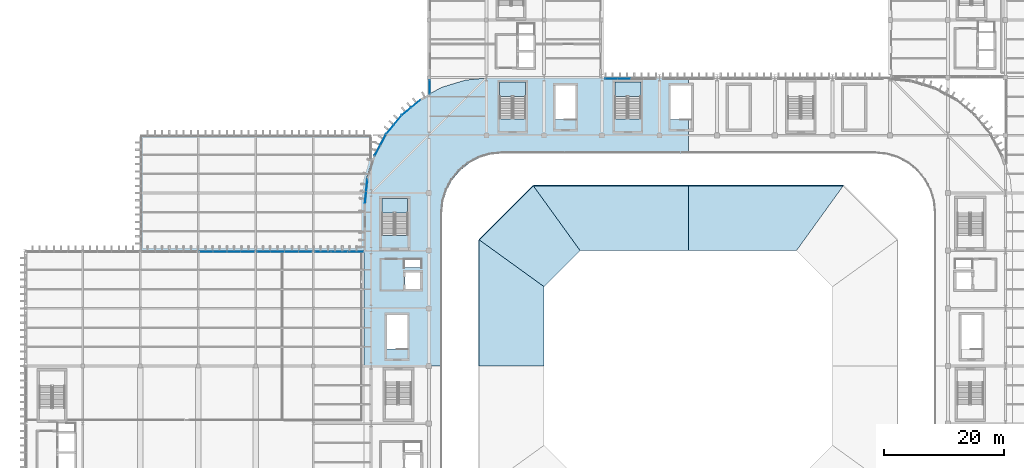
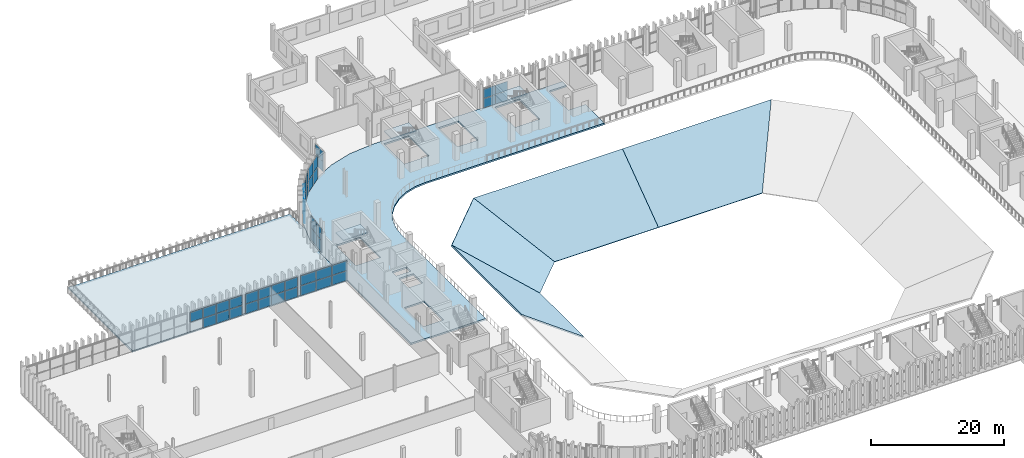
# One storey, part 52 of 99: 43 plates, 9 slabs, 12 elements without a shape of their own.
"""IFC4 building model written with IfcOpenShell, lengths in metres."""

import ifcopenshell
import ifcopenshell.guid

model = None  # the IFC model being written
_history = None  # IfcOwnerHistory: only IFC2X3 demands one
_inside = {}  # id of a spatial element -> (the spatial element, [elements in it])
_under = {}  # id of a project, library or spatial element -> (it, [spatial elements below it])
_declared = {}  # id of a project -> (the project, [libraries it declares])
_typed = {}  # id of a type object -> (the type object, [elements of that type])
_made_of = {}  # id of a material, layer set ... -> (it, [elements and type objects made of it])


def new_model(schema):
    """Start an empty IFC model of exactly this schema.

    Asked for "IFC4X3", IfcOpenShell would pick the latest addendum, in which some entities
    have other attributes; the version numbers below select the first issue.
    IFC2X3 requires an IfcOwnerHistory on every rooted entity: one is made here for all.
    """
    global model, _history
    if schema == "IFC4X3":
        model = ifcopenshell.file(schema_version=(4, 3, 0, 0))
    else:
        model = ifcopenshell.file(schema=schema)
    _inside.clear()
    _under.clear()
    _declared.clear()
    _typed.clear()
    _made_of.clear()
    _history = None
    if model.schema == "IFC2X3":
        org = make("IfcOrganization", Name="unknown")
        user = make(
            "IfcPersonAndOrganization",
            ThePerson=make("IfcPerson", FamilyName="unknown"),
            TheOrganization=org,
        )
        app = make(
            "IfcApplication",
            ApplicationDeveloper=org,
            Version="unknown",
            ApplicationFullName="unknown",
            ApplicationIdentifier="unknown",
        )
        _history = make(
            "IfcOwnerHistory",
            OwningUser=user,
            OwningApplication=app,
            ChangeAction="ADDED",
            CreationDate=0,
        )
    return model


def make(cls, **values):
    """One entity of the class cls with the attributes given. An attribute that is None is left unset."""
    return model.create_entity(
        cls, **{name: value for name, value in values.items() if value is not None}
    )


def rooted(cls, **values):
    """An entity with a GlobalId (a new one), such as an element, a storey or a relation."""
    return make(cls, GlobalId=ifcopenshell.guid.new(), OwnerHistory=_history, **values)


def si_unit(unit_type, name, prefix=None):
    """IfcSIUnit, for example si_unit("LENGTHUNIT", "METRE", prefix="MILLI")."""
    return make("IfcSIUnit", UnitType=unit_type, Prefix=prefix, Name=name)


def assignment(units):
    """IfcUnitAssignment: the units of a project."""
    return None if units is None else make("IfcUnitAssignment", Units=units)


def point(xyz):
    """IfcCartesianPoint."""
    return None if xyz is None else make("IfcCartesianPoint", Coordinates=xyz)


def direction(xyz):
    """IfcDirection."""
    return None if xyz is None else make("IfcDirection", DirectionRatios=xyz)


def frame(location, z_axis=None, x_axis=None):
    """IfcAxis2Placement3D, a coordinate frame: its origin and axes. An axis left out is left unset."""
    return make(
        "IfcAxis2Placement3D",
        Location=point(location),
        Axis=direction(z_axis),
        RefDirection=direction(x_axis),
    )


def frame_2d(location, x_axis=None):
    """IfcAxis2Placement2D, a coordinate frame in the plane: its origin and x axis."""
    return make(
        "IfcAxis2Placement2D", Location=point(location), RefDirection=direction(x_axis)
    )


def origin():
    """The frame at (0, 0, 0) with its axes left unset."""
    return frame((0.0, 0.0, 0.0))


def origin_2d():
    """The frame at (0, 0) in the plane with its x axis left unset."""
    return frame_2d((0.0, 0.0))


def place(relative_to, where):
    """IfcLocalPlacement: puts the frame where relative to a parent placement (None: the world)."""
    return make(
        "IfcLocalPlacement", PlacementRelTo=relative_to, RelativePlacement=where
    )


def context(
    kind, dimensions, precision=None, world=None, true_north=None, identifier=None
):
    """IfcGeometricRepresentationContext, for example the 3D "Model" context."""
    return make(
        "IfcGeometricRepresentationContext",
        ContextIdentifier=identifier,
        ContextType=kind,
        CoordinateSpaceDimension=dimensions,
        Precision=precision,
        WorldCoordinateSystem=world,
        TrueNorth=true_north,
    )


def subcontext(parent, identifier, kind, view, scale=None):
    """IfcGeometricRepresentationSubContext, for example "Body" below "Model"."""
    return make(
        "IfcGeometricRepresentationSubContext",
        ContextIdentifier=identifier,
        ContextType=kind,
        ParentContext=parent,
        TargetScale=scale,
        TargetView=view,
    )


def project(units=None, contexts=None):
    """IfcProject with its units and contexts."""
    return rooted(
        "IfcProject",
        Name="project",
        RepresentationContexts=contexts,
        UnitsInContext=assignment(units),
    )


def spatial(cls, under=None, at=None, **own):
    """A site, building, storey or space (cls), placed at a placement, below another one or the project."""
    s = rooted(cls, ObjectPlacement=at, **own)
    if under is not None:
        _under.setdefault(under.id(), (under, []))[1].append(s)
    return s


def polyline(points):
    """IfcPolyline through the points."""
    return make("IfcPolyline", Points=[point(p) for p in points])


def profile(cls, at=None, kind="AREA", **sizes):
    """A parametric profile (cls). Its sizes go by their IFC names, for example OverallWidth=200.0."""
    return make(cls, ProfileType=kind, Position=at, **sizes)


def rectangle(**sizes):
    """IfcRectangleProfileDef."""
    return profile("IfcRectangleProfileDef", **sizes)


def outline(outer, holes=None, kind="AREA"):
    """IfcArbitraryClosedProfileDef: a profile drawn as a closed curve; with holes, ...WithVoids."""
    if holes is None:
        return make("IfcArbitraryClosedProfileDef", ProfileType=kind, OuterCurve=outer)
    return make(
        "IfcArbitraryProfileDefWithVoids",
        ProfileType=kind,
        OuterCurve=outer,
        InnerCurves=holes,
    )


def extrude(swept, where, along, depth):
    """IfcExtrudedAreaSolid: the profile swept, set in the frame where, extruded along a direction by depth."""
    return make(
        "IfcExtrudedAreaSolid",
        SweptArea=swept,
        Position=where,
        ExtrudedDirection=direction(along),
        Depth=depth,
    )


def shape(context_of_items, identifier, shape_type, items):
    """IfcShapeRepresentation: the items that make up one representation, for example the "Body"."""
    return make(
        "IfcShapeRepresentation",
        ContextOfItems=context_of_items,
        RepresentationIdentifier=identifier,
        RepresentationType=shape_type,
        Items=items,
    )


def material(Name=None, Category=None):
    """IfcMaterial."""
    return make("IfcMaterial", Name=Name, Category=Category)


def layer(
    of_material, thickness, ventilated=None, Name=None, Category=None, Priority=None
):
    """IfcMaterialLayer: one layer of a wall or slab, of a material (None: an air gap)."""
    return make(
        "IfcMaterialLayer",
        Material=of_material,
        LayerThickness=thickness,
        IsVentilated=ventilated,
        Name=Name,
        Category=Category,
        Priority=Priority,
    )


def layer_set(layers, Name=None):
    """IfcMaterialLayerSet."""
    return make("IfcMaterialLayerSet", MaterialLayers=layers, LayerSetName=Name)


def made_of(thing, what):
    """Note that an element or type object is made of a material, layer set ...; save() writes the relation."""
    if what is not None:
        _made_of.setdefault(what.id(), (what, []))[1].append(thing)
    return thing


def type_object(cls, material=None, **own):
    """A type object (cls), such as IfcWallType, which elements share."""
    return made_of(rooted(cls, **own), material)


def element(
    cls,
    number,
    at=None,
    inside=None,
    cuts=None,
    type_object=None,
    material=None,
    context=None,
    identifier="Body",
    shape_type=None,
    held_by="IfcProductDefinitionShape",
    body=None,
    shapes=None,
    **own,
):
    """One element of the class cls, such as IfcWall. Its Tag is "e" and its number.

    at: its placement. inside: the storey or other place that contains it. cuts: it is an
    opening in that element (IfcRelVoidsElement). A single representation is given by context,
    identifier, shape_type and body (its items); several are given by shapes. held_by: the class
    of the entity that holds the representations. save() writes the other relations.
    """
    e = rooted(cls, Tag="e%d" % number, ObjectPlacement=at, **own)
    if body is not None:
        shapes = [shape(context, identifier, shape_type, body)]
    if shapes is not None:
        e.Representation = make(held_by, Representations=shapes)
    if inside is not None:
        _inside.setdefault(inside.id(), (inside, []))[1].append(e)
    if cuts is not None:
        rooted(
            "IfcRelVoidsElement", RelatingBuildingElement=cuts, RelatedOpeningElement=e
        )
    if type_object is not None:
        _typed.setdefault(type_object.id(), (type_object, []))[1].append(e)
    return made_of(e, material)


def aggregate(whole, parts):
    """IfcRelAggregates: a whole, such as a stair, and the parts it consists of."""
    return rooted("IfcRelAggregates", RelatingObject=whole, RelatedObjects=parts)


def save(model, path):
    """Write the relations noted so far, then the file.

    IfcRelAggregates (storeys below a building ...), IfcRelContainedInSpatialStructure (elements
    in a storey), IfcRelDefinesByType, IfcRelAssociatesMaterial and IfcRelDeclares: one each for
    every whole, place, type object, material and project.
    """
    for whole, parts in _under.values():
        aggregate(whole, parts)
    for where, things in _inside.values():
        rooted(
            "IfcRelContainedInSpatialStructure",
            RelatedElements=things,
            RelatingStructure=where,
        )
    for kind, things in _typed.values():
        rooted("IfcRelDefinesByType", RelatedObjects=things, RelatingType=kind)
    for what, things in _made_of.values():
        rooted("IfcRelAssociatesMaterial", RelatedObjects=things, RelatingMaterial=what)
    for by, libraries in _declared.values():
        rooted("IfcRelDeclares", RelatingContext=by, RelatedDefinitions=libraries)
    model.write(path)


model = new_model("IFC4")

# Units and contexts
model_context = context("Model", 3, precision=1e-05, world=origin(), true_north=direction((0.0, 1.0)))
body_context = subcontext(model_context, "Body", "Model", "MODEL_VIEW")
ifc_project = project(units=[si_unit("LENGTHUNIT", "METRE"), si_unit("AREAUNIT", "SQUARE_METRE"), si_unit("VOLUMEUNIT", "CUBIC_METRE"), si_unit("PLANEANGLEUNIT", "RADIAN"), si_unit("MASSUNIT", "GRAM", prefix="KILO")], contexts=[model_context])

# Site, building, storey
site_placement = place(None, origin())
site = spatial("IfcSite", under=ifc_project, at=site_placement, CompositionType="ELEMENT")
building_placement = place(site_placement, origin())
building = spatial("IfcBuilding", under=site, at=building_placement, Name="Caelomonte Colonnade Arena", CompositionType="ELEMENT")
storey_placement = place(building_placement, frame((0.0, 0.0, 4.800048828125)))
storey = spatial("IfcBuildingStorey", under=building, at=storey_placement, Name="L01", CompositionType="ELEMENT", Elevation=4.800048828125)

# Curtain wall, plates
ifc_material_1 = material(Name="Bronze anodised aluminium and low-E glazing", Category="aluminium")
ifc_layer_1 = layer(ifc_material_1, 0.179931640625)
ifc_layer_set_1 = layer_set([ifc_layer_1], Name="Bronze anodised aluminium and low-E glazing")
curtain_wall_type_1 = type_object("IfcCurtainWallType", Name="ENV-CW-CW-L01-29-39", PredefinedType="USERDEFINED", material=ifc_layer_set_1)
curtain_wall_1_placement = place(storey_placement, origin())
curtain_wall_1 = element("IfcCurtainWall", 1, at=curtain_wall_1_placement, inside=storey, type_object=curtain_wall_type_1, Name="L01 unitized curtain wall CW-L01-0674-1138", ObjectType="UNITIZED CURTAIN WALL", PredefinedType="USERDEFINED")
ifc_material_2 = material(Name="Solar-control bronze low-E double glazing", Category="glass")
ifc_layer_2 = layer(ifc_material_2, 0.028076171875)
ifc_layer_set_2 = layer_set([ifc_layer_2], Name="Solar-control bronze low-E double glazing")
plate_type = type_object("IfcPlateType", Name="ENV-CW-PAN28", PredefinedType="CURTAIN_PANEL", material=ifc_layer_set_2)
plate_1_placement = place(storey_placement, frame((67.3798828125, 113.6826171875, 0.06982421875), z_axis=(0.0, 0.0, 1.0), x_axis=(0.0, -1.0, 0.0)))
plate_1 = element("IfcPlate", 2, at=plate_1_placement, type_object=plate_type, Name="CW-L01-29-39 panel 1.1", PredefinedType="CURTAIN_PANEL", context=body_context, shape_type="SweptSolid", body=[
    extrude(rectangle(XDim=2.2548828125, YDim=0.028076171875, at=origin_2d()), origin(), (0.0, 0.0, 1.0), 1.8515625),
])
plate_2_placement = place(storey_placement, frame((67.3798828125, 113.6826171875, 1.991455078125), z_axis=(0.0, 0.0, 1.0), x_axis=(0.0, -1.0, 0.0)))
plate_2 = element("IfcPlate", 3, at=plate_2_placement, type_object=plate_type, Name="CW-L01-29-39 panel 1.2", PredefinedType="CURTAIN_PANEL", context=body_context, shape_type="SweptSolid", body=[
    extrude(rectangle(XDim=2.2548828125, YDim=0.028076171875, at=origin_2d()), origin(), (0.0, 0.0, 1.0), 1.8515625),
])
aggregate(curtain_wall_1, [plate_1, plate_2])

ifc_layer_3 = layer(ifc_material_1, 0.179931640625)
ifc_layer_set_3 = layer_set([ifc_layer_3], Name="Bronze anodised aluminium and low-E glazing")
curtain_wall_type_2 = type_object("IfcCurtainWallType", Name="ENV-CW-CW-L01-44-45", PredefinedType="USERDEFINED", material=ifc_layer_set_3)
curtain_wall_2_placement = place(storey_placement, origin())
curtain_wall_2 = element("IfcCurtainWall", 4, at=curtain_wall_2_placement, inside=storey, type_object=curtain_wall_type_2, Name="L01 unitized curtain wall CW-L01-0643-1102", ObjectType="UNITIZED CURTAIN WALL", PredefinedType="USERDEFINED")
plate_3_placement = place(storey_placement, frame((65.022705078125, 110.844970703125, 0.06982421875), z_axis=(0.0, 0.0, 1.0), x_axis=(-0.772991751994, -0.634416071163, 0.0)))
plate_3 = element("IfcPlate", 5, at=plate_3_placement, type_object=plate_type, Name="CW-L01-44-45 panel 1.1", PredefinedType="CURTAIN_PANEL", context=body_context, shape_type="SweptSolid", body=[
    extrude(rectangle(XDim=1.913330078125, YDim=0.028076171875, at=origin_2d()), origin(), (0.0, 0.0, 1.0), 2.155029296875),
])
plate_4_placement = place(storey_placement, frame((65.022705078125, 110.844970703125, 2.294921875), z_axis=(0.0, 0.0, 1.0), x_axis=(-0.772991751994, -0.634416071163, 0.0)))
plate_4 = element("IfcPlate", 6, at=plate_4_placement, type_object=plate_type, Name="CW-L01-44-45 panel 1.2", PredefinedType="CURTAIN_PANEL", context=body_context, shape_type="SweptSolid", body=[
    extrude(rectangle(XDim=1.913330078125, YDim=0.028076171875, at=origin_2d()), origin(), (0.0, 0.0, 1.0), 2.155029296875),
])
plate_5_placement = place(storey_placement, frame((63.489501953125, 109.586669921875, 0.06982421875), z_axis=(0.0, 0.0, 1.0), x_axis=(-0.772991751994, -0.634416071163, 0.0)))
plate_5 = element("IfcPlate", 7, at=plate_5_placement, type_object=plate_type, Name="CW-L01-44-45 panel 2.1", PredefinedType="CURTAIN_PANEL", context=body_context, shape_type="SweptSolid", body=[
    extrude(rectangle(XDim=1.913330078125, YDim=0.028076171875, at=origin_2d()), origin(), (0.0, 0.0, 1.0), 2.155029296875),
])
plate_6_placement = place(storey_placement, frame((63.489501953125, 109.586669921875, 2.294921875), z_axis=(0.0, 0.0, 1.0), x_axis=(-0.772991751994, -0.634416071163, 0.0)))
plate_6 = element("IfcPlate", 8, at=plate_6_placement, type_object=plate_type, Name="CW-L01-44-45 panel 2.2", PredefinedType="CURTAIN_PANEL", context=body_context, shape_type="SweptSolid", body=[
    extrude(rectangle(XDim=1.913330078125, YDim=0.028076171875, at=origin_2d()), origin(), (0.0, 0.0, 1.0), 2.155029296875),
])
aggregate(curtain_wall_2, [plate_3, plate_4, plate_5, plate_6])

curtain_wall_3_placement = place(storey_placement, origin())
curtain_wall_3 = element("IfcCurtainWall", 9, at=curtain_wall_3_placement, inside=storey, type_object=curtain_wall_type_2, Name="L01 unitized curtain wall CW-L01-0614-1073", ObjectType="UNITIZED CURTAIN WALL", PredefinedType="USERDEFINED")
plate_7_placement = place(storey_placement, frame((62.01318359375, 108.1103515625, 0.06982421875), z_axis=(0.0, 0.0, 1.0), x_axis=(-0.634416071163, -0.772991751994, 0.0)))
plate_7 = element("IfcPlate", 10, at=plate_7_placement, type_object=plate_type, Name="CW-L01-44-45 panel 1.1", PredefinedType="CURTAIN_PANEL", context=body_context, shape_type="SweptSolid", body=[
    extrude(rectangle(XDim=1.913330078125, YDim=0.028076171875, at=origin_2d()), origin(), (0.0, 0.0, 1.0), 2.155029296875),
])
plate_8_placement = place(storey_placement, frame((62.01318359375, 108.1103515625, 2.294921875), z_axis=(0.0, 0.0, 1.0), x_axis=(-0.634416071163, -0.772991751994, 0.0)))
plate_8 = element("IfcPlate", 11, at=plate_8_placement, type_object=plate_type, Name="CW-L01-44-45 panel 1.2", PredefinedType="CURTAIN_PANEL", context=body_context, shape_type="SweptSolid", body=[
    extrude(rectangle(XDim=1.913330078125, YDim=0.028076171875, at=origin_2d()), origin(), (0.0, 0.0, 1.0), 2.155029296875),
])
plate_9_placement = place(storey_placement, frame((60.7548828125, 106.577392578125, 0.06982421875), z_axis=(0.0, 0.0, 1.0), x_axis=(-0.634416071163, -0.772991751994, 0.0)))
plate_9 = element("IfcPlate", 12, at=plate_9_placement, type_object=plate_type, Name="CW-L01-44-45 panel 2.1", PredefinedType="CURTAIN_PANEL", context=body_context, shape_type="SweptSolid", body=[
    extrude(rectangle(XDim=1.913330078125, YDim=0.028076171875, at=origin_2d()), origin(), (0.0, 0.0, 1.0), 2.155029296875),
])
plate_10_placement = place(storey_placement, frame((60.7548828125, 106.577392578125, 2.294921875), z_axis=(0.0, 0.0, 1.0), x_axis=(-0.634416071163, -0.772991751994, 0.0)))
plate_10 = element("IfcPlate", 13, at=plate_10_placement, type_object=plate_type, Name="CW-L01-44-45 panel 2.2", PredefinedType="CURTAIN_PANEL", context=body_context, shape_type="SweptSolid", body=[
    extrude(rectangle(XDim=1.913330078125, YDim=0.028076171875, at=origin_2d()), origin(), (0.0, 0.0, 1.0), 2.155029296875),
])
aggregate(curtain_wall_3, [plate_7, plate_8, plate_9, plate_10])

curtain_wall_4_placement = place(storey_placement, origin())
curtain_wall_4 = element("IfcCurtainWall", 14, at=curtain_wall_4_placement, inside=storey, type_object=curtain_wall_type_2, Name="L01 unitized curtain wall CW-L01-0591-1040", ObjectType="UNITIZED CURTAIN WALL", PredefinedType="USERDEFINED")
plate_11_placement = place(storey_placement, frame((59.594970703125, 104.841552734375, 0.06982421875), z_axis=(0.0, 0.0, 1.0), x_axis=(-0.471394212466, -0.881922613642, 0.0)))
plate_11 = element("IfcPlate", 15, at=plate_11_placement, type_object=plate_type, Name="CW-L01-44-45 panel 1.1", PredefinedType="CURTAIN_PANEL", context=body_context, shape_type="SweptSolid", body=[
    extrude(rectangle(XDim=1.913330078125, YDim=0.028076171875, at=origin_2d()), origin(), (0.0, 0.0, 1.0), 2.155029296875),
])
plate_12_placement = place(storey_placement, frame((59.594970703125, 104.841552734375, 2.294921875), z_axis=(0.0, 0.0, 1.0), x_axis=(-0.471394212466, -0.881922613642, 0.0)))
plate_12 = element("IfcPlate", 16, at=plate_12_placement, type_object=plate_type, Name="CW-L01-44-45 panel 1.2", PredefinedType="CURTAIN_PANEL", context=body_context, shape_type="SweptSolid", body=[
    extrude(rectangle(XDim=1.913330078125, YDim=0.028076171875, at=origin_2d()), origin(), (0.0, 0.0, 1.0), 2.155029296875),
])
plate_13_placement = place(storey_placement, frame((58.66015625, 103.09228515625, 0.06982421875), z_axis=(0.0, 0.0, 1.0), x_axis=(-0.471394212466, -0.881922613642, 0.0)))
plate_13 = element("IfcPlate", 17, at=plate_13_placement, type_object=plate_type, Name="CW-L01-44-45 panel 2.1", PredefinedType="CURTAIN_PANEL", context=body_context, shape_type="SweptSolid", body=[
    extrude(rectangle(XDim=1.913330078125, YDim=0.028076171875, at=origin_2d()), origin(), (0.0, 0.0, 1.0), 2.155029296875),
])
plate_14_placement = place(storey_placement, frame((58.66015625, 103.09228515625, 2.294921875), z_axis=(0.0, 0.0, 1.0), x_axis=(-0.471394212466, -0.881922613642, 0.0)))
plate_14 = element("IfcPlate", 18, at=plate_14_placement, type_object=plate_type, Name="CW-L01-44-45 panel 2.2", PredefinedType="CURTAIN_PANEL", context=body_context, shape_type="SweptSolid", body=[
    extrude(rectangle(XDim=1.913330078125, YDim=0.028076171875, at=origin_2d()), origin(), (0.0, 0.0, 1.0), 2.155029296875),
])
aggregate(curtain_wall_4, [plate_11, plate_12, plate_13, plate_14])

curtain_wall_5_placement = place(storey_placement, origin())
curtain_wall_5 = element("IfcCurtainWall", 19, at=curtain_wall_5_placement, inside=storey, type_object=curtain_wall_type_2, Name="L01 unitized curtain wall CW-L01-0568-0962", ObjectType="UNITIZED CURTAIN WALL", PredefinedType="USERDEFINED")
plate_15_placement = place(storey_placement, frame((56.878173828125, 97.2177734375, 0.06982421875), z_axis=(0.0, 0.0, 1.0), x_axis=(-0.098002498041, -0.995186168703, 0.0)))
plate_15 = element("IfcPlate", 20, at=plate_15_placement, type_object=plate_type, Name="CW-L01-44-45 panel 1.1", PredefinedType="CURTAIN_PANEL", context=body_context, shape_type="SweptSolid", body=[
    extrude(rectangle(XDim=1.913330078125, YDim=0.028076171875, at=origin_2d()), origin(), (0.0, 0.0, 1.0), 2.155029296875),
])
plate_16_placement = place(storey_placement, frame((56.878173828125, 97.2177734375, 2.294921875), z_axis=(0.0, 0.0, 1.0), x_axis=(-0.098002498041, -0.995186168703, 0.0)))
plate_16 = element("IfcPlate", 21, at=plate_16_placement, type_object=plate_type, Name="CW-L01-44-45 panel 1.2", PredefinedType="CURTAIN_PANEL", context=body_context, shape_type="SweptSolid", body=[
    extrude(rectangle(XDim=1.913330078125, YDim=0.028076171875, at=origin_2d()), origin(), (0.0, 0.0, 1.0), 2.155029296875),
])
plate_17_placement = place(storey_placement, frame((56.68359375, 95.243896484375, 0.06982421875), z_axis=(0.0, 0.0, 1.0), x_axis=(-0.098002498041, -0.995186168703, 0.0)))
plate_17 = element("IfcPlate", 22, at=plate_17_placement, type_object=plate_type, Name="CW-L01-44-45 panel 2.1", PredefinedType="CURTAIN_PANEL", context=body_context, shape_type="SweptSolid", body=[
    extrude(rectangle(XDim=1.913330078125, YDim=0.028076171875, at=origin_2d()), origin(), (0.0, 0.0, 1.0), 2.155029296875),
])
plate_18_placement = place(storey_placement, frame((56.68359375, 95.243896484375, 2.294921875), z_axis=(0.0, 0.0, 1.0), x_axis=(-0.098002498041, -0.995186168703, 0.0)))
plate_18 = element("IfcPlate", 23, at=plate_18_placement, type_object=plate_type, Name="CW-L01-44-45 panel 2.2", PredefinedType="CURTAIN_PANEL", context=body_context, shape_type="SweptSolid", body=[
    extrude(rectangle(XDim=1.913330078125, YDim=0.028076171875, at=origin_2d()), origin(), (0.0, 0.0, 1.0), 2.155029296875),
])
aggregate(curtain_wall_5, [plate_15, plate_16, plate_17, plate_18])

ifc_layer_4 = layer(ifc_material_1, 0.179931640625)
ifc_layer_set_4 = layer_set([ifc_layer_4], Name="Bronze anodised aluminium and low-E glazing")
curtain_wall_type_3 = type_object("IfcCurtainWallType", Name="ENV-CW-CW-L01-85-38", PredefinedType="USERDEFINED", material=ifc_layer_set_4)
curtain_wall_6_placement = place(storey_placement, origin())
curtain_wall_6 = element("IfcCurtainWall", 24, at=curtain_wall_6_placement, inside=storey, type_object=curtain_wall_type_3, Name="L01 unitized curtain wall CW-L01-0523-0862", ObjectType="UNITIZED CURTAIN WALL", PredefinedType="USERDEFINED")
plate_19_placement = place(storey_placement, frame((54.984375, 86.219970703125, 0.06494140625), z_axis=(0.0, 0.0, 1.0), x_axis=(-1.0, 0.0, 0.0)))
plate_19 = element("IfcPlate", 25, at=plate_19_placement, type_object=plate_type, Name="CW-L01-85-38 panel 1.1", PredefinedType="CURTAIN_PANEL", context=body_context, shape_type="SweptSolid", body=[
    extrude(rectangle(XDim=2.62109375, YDim=0.028076171875, at=origin_2d()), origin(), (0.0, 0.0, 1.0), 1.781494140625),
])
plate_20_placement = place(storey_placement, frame((54.984375, 86.219970703125, 1.91162109375), z_axis=(0.0, 0.0, 1.0), x_axis=(-1.0, 0.0, 0.0)))
plate_20 = element("IfcPlate", 26, at=plate_20_placement, type_object=plate_type, Name="CW-L01-85-38 panel 1.2", PredefinedType="CURTAIN_PANEL", context=body_context, shape_type="SweptSolid", body=[
    extrude(rectangle(XDim=2.62109375, YDim=0.028076171875, at=origin_2d()), origin(), (0.0, 0.0, 1.0), 1.781494140625),
])
plate_21_placement = place(storey_placement, frame((52.2822265625, 86.219970703125, 0.06494140625), z_axis=(0.0, 0.0, 1.0), x_axis=(-1.0, 0.0, 0.0)))
plate_21 = element("IfcPlate", 27, at=plate_21_placement, type_object=plate_type, Name="CW-L01-85-38 panel 2.1", PredefinedType="CURTAIN_PANEL", context=body_context, shape_type="SweptSolid", body=[
    extrude(rectangle(XDim=2.653564453125, YDim=0.028076171875, at=origin_2d()), origin(), (0.0, 0.0, 1.0), 1.781494140625),
])
plate_22_placement = place(storey_placement, frame((52.2822265625, 86.219970703125, 1.91162109375), z_axis=(0.0, 0.0, 1.0), x_axis=(-1.0, 0.0, 0.0)))
plate_22 = element("IfcPlate", 28, at=plate_22_placement, type_object=plate_type, Name="CW-L01-85-38 panel 2.2", PredefinedType="CURTAIN_PANEL", context=body_context, shape_type="SweptSolid", body=[
    extrude(rectangle(XDim=2.653564453125, YDim=0.028076171875, at=origin_2d()), origin(), (0.0, 0.0, 1.0), 1.781494140625),
])
plate_23_placement = place(storey_placement, frame((49.579833984375, 86.219970703125, 0.06494140625), z_axis=(0.0, 0.0, 1.0), x_axis=(-1.0, 0.0, 0.0)))
plate_23 = element("IfcPlate", 29, at=plate_23_placement, type_object=plate_type, Name="CW-L01-85-38 panel 3.1", PredefinedType="CURTAIN_PANEL", context=body_context, shape_type="SweptSolid", body=[
    extrude(rectangle(XDim=2.62109375, YDim=0.028076171875, at=origin_2d()), origin(), (0.0, 0.0, 1.0), 1.781494140625),
])
plate_24_placement = place(storey_placement, frame((49.579833984375, 86.219970703125, 1.91162109375), z_axis=(0.0, 0.0, 1.0), x_axis=(-1.0, 0.0, 0.0)))
plate_24 = element("IfcPlate", 30, at=plate_24_placement, type_object=plate_type, Name="CW-L01-85-38 panel 3.2", PredefinedType="CURTAIN_PANEL", context=body_context, shape_type="SweptSolid", body=[
    extrude(rectangle(XDim=2.62109375, YDim=0.028076171875, at=origin_2d()), origin(), (0.0, 0.0, 1.0), 1.781494140625),
])
aggregate(curtain_wall_6, [plate_19, plate_20, plate_21, plate_22, plate_23, plate_24])

ifc_layer_5 = layer(ifc_material_1, 0.179931640625)
ifc_layer_set_5 = layer_set([ifc_layer_5], Name="Bronze anodised aluminium and low-E glazing")
curtain_wall_type_4 = type_object("IfcCurtainWallType", Name="ENV-CW-CW-L01-96-38", PredefinedType="USERDEFINED", material=ifc_layer_set_5)
curtain_wall_7_placement = place(storey_placement, origin())
curtain_wall_7 = element("IfcCurtainWall", 31, at=curtain_wall_7_placement, inside=storey, type_object=curtain_wall_type_4, Name="L01 unitized curtain wall CW-L01-0432-0862", ObjectType="UNITIZED CURTAIN WALL", PredefinedType="USERDEFINED")
plate_25_placement = place(storey_placement, frame((46.63037109375, 86.219970703125, 0.06494140625), z_axis=(0.0, 0.0, 1.0), x_axis=(-1.0, 0.0, 0.0)))
plate_25 = element("IfcPlate", 32, at=plate_25_placement, type_object=plate_type, Name="CW-L01-96-38 panel 1.1", PredefinedType="CURTAIN_PANEL", context=body_context, shape_type="SweptSolid", body=[
    extrude(rectangle(XDim=2.2001953125, YDim=0.028076171875, at=origin_2d()), origin(), (0.0, 0.0, 1.0), 1.781494140625),
])
plate_26_placement = place(storey_placement, frame((46.63037109375, 86.219970703125, 1.91162109375), z_axis=(0.0, 0.0, 1.0), x_axis=(-1.0, 0.0, 0.0)))
plate_26 = element("IfcPlate", 33, at=plate_26_placement, type_object=plate_type, Name="CW-L01-96-38 panel 1.2", PredefinedType="CURTAIN_PANEL", context=body_context, shape_type="SweptSolid", body=[
    extrude(rectangle(XDim=2.2001953125, YDim=0.028076171875, at=origin_2d()), origin(), (0.0, 0.0, 1.0), 1.781494140625),
])
plate_27_placement = place(storey_placement, frame((44.348876953125, 86.219970703125, 0.06494140625), z_axis=(0.0, 0.0, 1.0), x_axis=(-1.0, 0.0, 0.0)))
plate_27 = element("IfcPlate", 34, at=plate_27_placement, type_object=plate_type, Name="CW-L01-96-38 panel 2.1", PredefinedType="CURTAIN_PANEL", context=body_context, shape_type="SweptSolid", body=[
    extrude(rectangle(XDim=2.23291015625, YDim=0.028076171875, at=origin_2d()), origin(), (0.0, 0.0, 1.0), 1.781494140625),
])
plate_28_placement = place(storey_placement, frame((44.348876953125, 86.219970703125, 1.91162109375), z_axis=(0.0, 0.0, 1.0), x_axis=(-1.0, 0.0, 0.0)))
plate_28 = element("IfcPlate", 35, at=plate_28_placement, type_object=plate_type, Name="CW-L01-96-38 panel 2.2", PredefinedType="CURTAIN_PANEL", context=body_context, shape_type="SweptSolid", body=[
    extrude(rectangle(XDim=2.23291015625, YDim=0.028076171875, at=origin_2d()), origin(), (0.0, 0.0, 1.0), 1.781494140625),
])
plate_29_placement = place(storey_placement, frame((42.051025390625, 86.219970703125, 0.06494140625), z_axis=(0.0, 0.0, 1.0), x_axis=(-1.0, 0.0, 0.0)))
plate_29 = element("IfcPlate", 36, at=plate_29_placement, type_object=plate_type, Name="CW-L01-96-38 panel 3.1", PredefinedType="CURTAIN_PANEL", context=body_context, shape_type="SweptSolid", body=[
    extrude(rectangle(XDim=2.23291015625, YDim=0.028076171875, at=origin_2d()), origin(), (0.0, 0.0, 1.0), 1.781494140625),
])
plate_30_placement = place(storey_placement, frame((42.051025390625, 86.219970703125, 1.91162109375), z_axis=(0.0, 0.0, 1.0), x_axis=(-1.0, 0.0, 0.0)))
plate_30 = element("IfcPlate", 37, at=plate_30_placement, type_object=plate_type, Name="CW-L01-96-38 panel 3.2", PredefinedType="CURTAIN_PANEL", context=body_context, shape_type="SweptSolid", body=[
    extrude(rectangle(XDim=2.23291015625, YDim=0.028076171875, at=origin_2d()), origin(), (0.0, 0.0, 1.0), 1.781494140625),
])
plate_31_placement = place(storey_placement, frame((39.76953125, 86.219970703125, 0.06494140625), z_axis=(0.0, 0.0, 1.0), x_axis=(-1.0, 0.0, 0.0)))
plate_31 = element("IfcPlate", 38, at=plate_31_placement, type_object=plate_type, Name="CW-L01-96-38 panel 4.1", PredefinedType="CURTAIN_PANEL", context=body_context, shape_type="SweptSolid", body=[
    extrude(rectangle(XDim=2.2001953125, YDim=0.028076171875, at=origin_2d()), origin(), (0.0, 0.0, 1.0), 1.781494140625),
])
plate_32_placement = place(storey_placement, frame((39.76953125, 86.219970703125, 1.91162109375), z_axis=(0.0, 0.0, 1.0), x_axis=(-1.0, 0.0, 0.0)))
plate_32 = element("IfcPlate", 39, at=plate_32_placement, type_object=plate_type, Name="CW-L01-96-38 panel 4.2", PredefinedType="CURTAIN_PANEL", context=body_context, shape_type="SweptSolid", body=[
    extrude(rectangle(XDim=2.2001953125, YDim=0.028076171875, at=origin_2d()), origin(), (0.0, 0.0, 1.0), 1.781494140625),
])
aggregate(curtain_wall_7, [plate_25, plate_26, plate_27, plate_28, plate_29, plate_30, plate_31, plate_32])

curtain_wall_8_placement = place(storey_placement, origin())
curtain_wall_8 = element("IfcCurtainWall", 40, at=curtain_wall_8_placement, inside=storey, type_object=curtain_wall_type_4, Name="L01 unitized curtain wall CW-L01-0336-0862", ObjectType="UNITIZED CURTAIN WALL", PredefinedType="USERDEFINED")
plate_33_placement = place(storey_placement, frame((37.030517578125, 86.219970703125, 0.06494140625), z_axis=(0.0, 0.0, 1.0), x_axis=(-1.0, 0.0, 0.0)))
plate_33 = element("IfcPlate", 41, at=plate_33_placement, type_object=plate_type, Name="CW-L01-96-38 panel 1.1", PredefinedType="CURTAIN_PANEL", context=body_context, shape_type="SweptSolid", body=[
    extrude(rectangle(XDim=2.2001953125, YDim=0.028076171875, at=origin_2d()), origin(), (0.0, 0.0, 1.0), 1.781494140625),
])
plate_34_placement = place(storey_placement, frame((37.030517578125, 86.219970703125, 1.91162109375), z_axis=(0.0, 0.0, 1.0), x_axis=(-1.0, 0.0, 0.0)))
plate_34 = element("IfcPlate", 42, at=plate_34_placement, type_object=plate_type, Name="CW-L01-96-38 panel 1.2", PredefinedType="CURTAIN_PANEL", context=body_context, shape_type="SweptSolid", body=[
    extrude(rectangle(XDim=2.2001953125, YDim=0.028076171875, at=origin_2d()), origin(), (0.0, 0.0, 1.0), 1.781494140625),
])
plate_35_placement = place(storey_placement, frame((34.748779296875, 86.219970703125, 0.06494140625), z_axis=(0.0, 0.0, 1.0), x_axis=(-1.0, 0.0, 0.0)))
plate_35 = element("IfcPlate", 43, at=plate_35_placement, type_object=plate_type, Name="CW-L01-96-38 panel 2.1", PredefinedType="CURTAIN_PANEL", context=body_context, shape_type="SweptSolid", body=[
    extrude(rectangle(XDim=2.23291015625, YDim=0.028076171875, at=origin_2d()), origin(), (0.0, 0.0, 1.0), 1.781494140625),
])
plate_36_placement = place(storey_placement, frame((34.748779296875, 86.219970703125, 1.91162109375), z_axis=(0.0, 0.0, 1.0), x_axis=(-1.0, 0.0, 0.0)))
plate_36 = element("IfcPlate", 44, at=plate_36_placement, type_object=plate_type, Name="CW-L01-96-38 panel 2.2", PredefinedType="CURTAIN_PANEL", context=body_context, shape_type="SweptSolid", body=[
    extrude(rectangle(XDim=2.23291015625, YDim=0.028076171875, at=origin_2d()), origin(), (0.0, 0.0, 1.0), 1.781494140625),
])
plate_37_placement = place(storey_placement, frame((32.451171875, 86.219970703125, 0.06494140625), z_axis=(0.0, 0.0, 1.0), x_axis=(-1.0, 0.0, 0.0)))
plate_37 = element("IfcPlate", 45, at=plate_37_placement, type_object=plate_type, Name="CW-L01-96-38 panel 3.1", PredefinedType="CURTAIN_PANEL", context=body_context, shape_type="SweptSolid", body=[
    extrude(rectangle(XDim=2.23291015625, YDim=0.028076171875, at=origin_2d()), origin(), (0.0, 0.0, 1.0), 1.781494140625),
])
plate_38_placement = place(storey_placement, frame((32.451171875, 86.219970703125, 1.91162109375), z_axis=(0.0, 0.0, 1.0), x_axis=(-1.0, 0.0, 0.0)))
plate_38 = element("IfcPlate", 46, at=plate_38_placement, type_object=plate_type, Name="CW-L01-96-38 panel 3.2", PredefinedType="CURTAIN_PANEL", context=body_context, shape_type="SweptSolid", body=[
    extrude(rectangle(XDim=2.23291015625, YDim=0.028076171875, at=origin_2d()), origin(), (0.0, 0.0, 1.0), 1.781494140625),
])
plate_39_placement = place(storey_placement, frame((30.16943359375, 86.219970703125, 1.91162109375), z_axis=(0.0, 0.0, 1.0), x_axis=(-1.0, 0.0, 0.0)))
plate_39 = element("IfcPlate", 47, at=plate_39_placement, type_object=plate_type, Name="CW-L01-96-38 panel 4.2", PredefinedType="CURTAIN_PANEL", context=body_context, shape_type="SweptSolid", body=[
    extrude(rectangle(XDim=2.2001953125, YDim=0.028076171875, at=origin_2d()), origin(), (0.0, 0.0, 1.0), 1.781494140625),
])
aggregate(curtain_wall_8, [plate_33, plate_34, plate_35, plate_36, plate_37, plate_38, plate_39])

ifc_layer_6 = layer(ifc_material_1, 0.179931640625)
ifc_layer_set_6 = layer_set([ifc_layer_6], Name="Bronze anodised aluminium and low-E glazing")
curtain_wall_type_5 = type_object("IfcCurtainWallType", Name="ENV-CW-CW-L01-96-36", PredefinedType="USERDEFINED", material=ifc_layer_set_6)
curtain_wall_9_placement = place(storey_placement, origin())
curtain_wall_9 = element("IfcCurtainWall", 48, at=curtain_wall_9_placement, inside=storey, type_object=curtain_wall_type_5, Name="L01 unitized curtain wall CW-L01-1008-1150", ObjectType="UNITIZED CURTAIN WALL", PredefinedType="USERDEFINED")
plate_40_placement = place(storey_placement, frame((99.7314453125, 115.02001953125, 0.070068359375), z_axis=(0.0, 0.0, 1.0), x_axis=(-1.0, 0.0, 0.0)))
plate_40 = element("IfcPlate", 49, at=plate_40_placement, type_object=plate_type, Name="CW-L01-96-36 panel 3.1", PredefinedType="CURTAIN_PANEL", context=body_context, shape_type="SweptSolid", body=[
    extrude(rectangle(XDim=2.067138671875, YDim=0.028076171875, at=origin_2d()), origin(), (0.0, 0.0, 1.0), 1.69140625),
])
plate_41_placement = place(storey_placement, frame((99.7314453125, 115.02001953125, 1.83154296875), z_axis=(0.0, 0.0, 1.0), x_axis=(-1.0, 0.0, 0.0)))
plate_41 = element("IfcPlate", 50, at=plate_41_placement, type_object=plate_type, Name="CW-L01-96-36 panel 3.2", PredefinedType="CURTAIN_PANEL", context=body_context, shape_type="SweptSolid", body=[
    extrude(rectangle(XDim=2.067138671875, YDim=0.028076171875, at=origin_2d()), origin(), (0.0, 0.0, 1.0), 1.69140625),
])
plate_42_placement = place(storey_placement, frame((97.611572265625, 115.02001953125, 0.070068359375), z_axis=(0.0, 0.0, 1.0), x_axis=(-1.0, 0.0, 0.0)))
plate_42 = element("IfcPlate", 51, at=plate_42_placement, type_object=plate_type, Name="CW-L01-96-36 panel 4.1", PredefinedType="CURTAIN_PANEL", context=body_context, shape_type="SweptSolid", body=[
    extrude(rectangle(XDim=2.0322265625, YDim=0.028076171875, at=origin_2d()), origin(), (0.0, 0.0, 1.0), 1.69140625),
])
plate_43_placement = place(storey_placement, frame((97.611572265625, 115.02001953125, 1.83154296875), z_axis=(0.0, 0.0, 1.0), x_axis=(-1.0, 0.0, 0.0)))
plate_43 = element("IfcPlate", 52, at=plate_43_placement, type_object=plate_type, Name="CW-L01-96-36 panel 4.2", PredefinedType="CURTAIN_PANEL", context=body_context, shape_type="SweptSolid", body=[
    extrude(rectangle(XDim=2.0322265625, YDim=0.028076171875, at=origin_2d()), origin(), (0.0, 0.0, 1.0), 1.69140625),
])
aggregate(curtain_wall_9, [plate_40, plate_41, plate_42, plate_43])

# Stair, slab
ifc_material_3 = material(Name="Concrete C40/50", Category="concrete")
stair_type_1 = type_object("IfcStairType", Name="INT-ST-WING48", PredefinedType="HALF_TURN_STAIR", material=ifc_material_3)
stair_1_placement = place(storey_placement, origin())
stair_1 = element("IfcStair", 53, at=stair_1_placement, inside=storey, type_object=stair_type_1, Name="L01 Core C4 exit stair ST-04", PredefinedType="HALF_TURN_STAIR")
ifc_layer_7 = layer(ifc_material_3, 0.199951171875)
ifc_layer_set_7 = layer_set([ifc_layer_7], Name="Concrete C40/50")
slab_type_1 = type_object("IfcSlabType", Name="INT-SL-LAND20", PredefinedType="LANDING", material=ifc_layer_set_7)
slab_1_placement = place(storey_placement, frame((0.0, 0.0, 2.199951171875)))
slab_1 = element("IfcSlab", 54, at=slab_1_placement, type_object=slab_type_1, Name="ST-04 landing 1", PredefinedType="LANDING", context=body_context, shape_type="SweptSolid", body=[
    extrude(outline(polyline([(63.699951171875, 92.655029296875), (63.699951171875, 95.050048828125), (59.39990234375, 95.050048828125), (59.39990234375, 92.655029296875), (63.699951171875, 92.655029296875)])), origin(), (0.0, 0.0, 1.0), 0.199951171875),
])
aggregate(stair_1, [slab_1])

stair_type_2 = type_object("IfcStairType", Name="INT-ST-CORE48", PredefinedType="HALF_TURN_STAIR", material=ifc_material_3)
stair_2_placement = place(storey_placement, origin())
stair_2 = element("IfcStair", 55, at=stair_2_placement, inside=storey, type_object=stair_type_2, Name="L01 Protected exit stair ST-14", PredefinedType="HALF_TURN_STAIR")
slab_2_placement = place(storey_placement, frame((0.0, 0.0, 2.199951171875)))
slab_2 = element("IfcSlab", 56, at=slab_2_placement, type_object=slab_type_1, Name="ST-14 landing 1", PredefinedType="LANDING", context=body_context, shape_type="SweptSolid", body=[
    extrude(outline(polyline([(83.300048828125, 112.054931640625), (83.300048828125, 114.449951171875), (79.0, 114.449951171875), (79.0, 112.054931640625), (83.300048828125, 112.054931640625)])), origin(), (0.0, 0.0, 1.0), 0.199951171875),
])
aggregate(stair_2, [slab_2])

stair_3_placement = place(storey_placement, origin())
stair_3 = element("IfcStair", 57, at=stair_3_placement, inside=storey, type_object=stair_type_2, Name="L01 Protected exit stair ST-15", PredefinedType="HALF_TURN_STAIR")
slab_3_placement = place(storey_placement, frame((0.0, 0.0, 2.199951171875)))
slab_3 = element("IfcSlab", 58, at=slab_3_placement, type_object=slab_type_1, Name="ST-15 landing 1", PredefinedType="LANDING", context=body_context, shape_type="SweptSolid", body=[
    extrude(outline(polyline([(102.5, 112.054931640625), (102.5, 114.449951171875), (98.199951171875, 114.449951171875), (98.199951171875, 112.054931640625), (102.5, 112.054931640625)])), origin(), (0.0, 0.0, 1.0), 0.199951171875),
])
aggregate(stair_3, [slab_3])

# Slabs
ifc_layer_8 = layer(ifc_material_3, 0.300048828125)
ifc_layer_set_8 = layer_set([ifc_layer_8], Name="Concrete C40/50")
slab_type_2 = type_object("IfcSlabType", Name="STR-SL-FLR30", PredefinedType="FLOOR", material=ifc_layer_set_8)
slab_4_placement = place(storey_placement, frame((0.0, 0.0, -0.300048828125)))
element("IfcSlab", 59, at=slab_4_placement, inside=storey, type_object=slab_type_2, Name="L01 structural floor slab SL-L01-V1-NW", PredefinedType="FLOOR", context=body_context, shape_type="SweptSolid", body=[
    extrude(outline(polyline([(56.39990234375, 94.199951171875), (56.39990234375, 67.199951171875), (69.39990234375, 67.199951171875), (69.39990234375, 92.60009765625), (69.592041015625, 94.55078125), (70.1611328125, 96.4267578125), (71.085205078125, 98.15576171875), (72.328857421875, 99.671142578125), (73.84423828125, 100.914794921875), (75.5732421875, 101.8388671875), (77.44921875, 102.407958984375), (79.39990234375, 102.60009765625), (110.39990234375, 102.60009765625), (110.39990234375, 108.25), (107.39990234375, 108.25), (107.39990234375, 114.0), (110.39990234375, 114.0), (110.39990234375, 115.199951171875), (77.39990234375, 115.199951171875), (73.302978515625, 114.79638671875), (69.363525390625, 113.6015625), (65.73291015625, 111.660888671875), (62.55078125, 109.04931640625), (59.939208984375, 105.866943359375), (57.99853515625, 102.236328125), (56.803466796875, 98.296875), (56.39990234375, 94.199951171875)]), holes=[polyline([(60.199951171875, 75.800048828125), (63.699951171875, 75.800048828125), (63.699951171875, 70.050048828125), (60.199951171875, 70.050048828125), (60.199951171875, 75.800048828125)]), polyline([(63.280029296875, 82.820068359375), (65.820068359375, 82.820068359375), (65.820068359375, 79.97998046875), (63.280029296875, 79.97998046875), (63.280029296875, 82.820068359375)]), polyline([(63.280029296875, 83.580078125), (63.280029296875, 84.820068359375), (65.820068359375, 84.820068359375), (65.820068359375, 83.580078125), (63.280029296875, 83.580078125)]), polyline([(59.39990234375, 88.949951171875), (59.39990234375, 95.050048828125), (63.699951171875, 95.050048828125), (63.699951171875, 88.949951171875), (59.39990234375, 88.949951171875)]), polyline([(79.0, 108.35009765625), (79.0, 114.449951171875), (83.300048828125, 114.449951171875), (83.300048828125, 108.35009765625), (79.0, 108.35009765625)]), polyline([(88.199951171875, 108.25), (88.199951171875, 114.0), (91.699951171875, 114.0), (91.699951171875, 108.25), (88.199951171875, 108.25)]), polyline([(98.199951171875, 114.449951171875), (102.5, 114.449951171875), (102.5, 108.35009765625), (98.199951171875, 108.35009765625), (98.199951171875, 114.449951171875)])]), origin(), (0.0, 0.0, 1.0), 0.300048828125),
])
ifc_layer_9 = layer(ifc_material_3, 0.300048828125)
ifc_layer_set_9 = layer_set([ifc_layer_9], Name="Concrete C40/50")
slab_type_3 = type_object("IfcSlabType", Name="STR-SL-TERR30", PredefinedType="ROOF", material=ifc_layer_set_9)
slab_5_placement = place(storey_placement, frame((0.0, 0.0, -0.300048828125)))
element("IfcSlab", 60, at=slab_5_placement, inside=storey, type_object=slab_type_3, Name="North Athlete Deck Roof", PredefinedType="ROOF", context=body_context, shape_type="SweptSolid", body=[
    extrude(outline(polyline([(19.199951171875, 86.39990234375), (56.39990234375, 86.39990234375), (56.39990234375, 94.199951171875), (56.803466796875, 98.296875), (57.60009765625, 100.922607421875), (57.60009765625, 105.60009765625), (19.199951171875, 105.60009765625), (19.199951171875, 86.39990234375)])), origin(), (0.0, 0.0, 1.0), 0.300048828125),
])
ifc_material_4 = material(Name="Precast concrete C40/50", Category="concrete")
ifc_layer_10 = layer(ifc_material_4, 0.239990234375)
ifc_layer_set_10 = layer_set([ifc_layer_10], Name="Precast concrete C40/50")
slab_type_4 = type_object("IfcSlabType", Name="STR-SL-TIER24", PredefinedType="USERDEFINED", material=ifc_layer_set_10)
slab_6_placement = place(storey_placement, frame((128.39990234375, 86.39990234375, -9.300048828125), z_axis=(0.0, -0.588442269699, 0.808539235431), x_axis=(-1.0, 0.0, 0.0)))
element("IfcSlab", 61, at=slab_6_placement, inside=storey, type_object=slab_type_4, Name="Stand LOWER bowl seating tier sector N1", ObjectType="SEATING TIER", PredefinedType="USERDEFINED", context=body_context, shape_type="SweptSolid", body=[
    extrude(outline(polyline([(0.0, 0.0), (18.0, 0.0), (18.0, -13.357482673516692), (-7.800048828125, -13.357482673516692), (0.0, 0.0)])), origin(), (0.0, 0.0, -1.0), 0.239990234375),
])
slab_7_placement = place(storey_placement, frame((110.39990234375, 86.39990234375, -9.300048828125), z_axis=(0.0, -0.588442269699, 0.808539235431), x_axis=(-1.0, 0.0, 0.0)))
element("IfcSlab", 62, at=slab_7_placement, inside=storey, type_object=slab_type_4, Name="Stand LOWER bowl seating tier sector N2", ObjectType="SEATING TIER", PredefinedType="USERDEFINED", context=body_context, shape_type="SweptSolid", body=[
    extrude(outline(polyline([(0.0, 0.0), (18.0, 0.0), (25.7998046875, -13.357482673516696), (0.0, -13.357482673516696), (0.0, 0.0)])), origin(), (0.0, 0.0, -1.0), 0.239990234375),
])
slab_8_placement = place(storey_placement, frame((92.39990234375, 86.39990234375, -9.300048828125), z_axis=(0.362746107937, -0.362746107937, 0.858388328411), x_axis=(-0.707106781187, -0.707106781187, 0.0)))
element("IfcSlab", 63, at=slab_8_placement, inside=storey, type_object=slab_type_4, Name="Stand LOWER bowl seating tier sector NW", ObjectType="SEATING TIER", PredefinedType="USERDEFINED", context=body_context, shape_type="SweptSolid", body=[
    extrude(outline(polyline([(0.0, 0.0), (8.485281374238571, 0.0), (10.606429084306713, -15.321832921839619), (-2.121492977051143, -15.321832921839619), (0.0, 0.0)])), origin(), (0.0, 0.0, -1.0), 0.239990234375),
])
slab_9_placement = place(storey_placement, frame((86.39990234375, 80.39990234375, -9.300048828125), z_axis=(0.588450965811, 0.0, 0.808532906464), x_axis=(0.0, -1.0, 0.0)))
element("IfcSlab", 64, at=slab_9_placement, inside=storey, type_object=slab_type_4, Name="Stand LOWER bowl seating tier sector W1", ObjectType="SEATING TIER", PredefinedType="USERDEFINED", context=body_context, shape_type="SweptSolid", body=[
    extrude(outline(polyline([(0.0, 0.0), (13.199951171875, 0.0), (13.199951171875, -13.357285277014991), (-7.800048828125, -13.357285277014991), (0.0, 0.0)])), origin(), (0.0, 0.0, -1.0), 0.239990234375),
])

save(model, "model.ifc")
